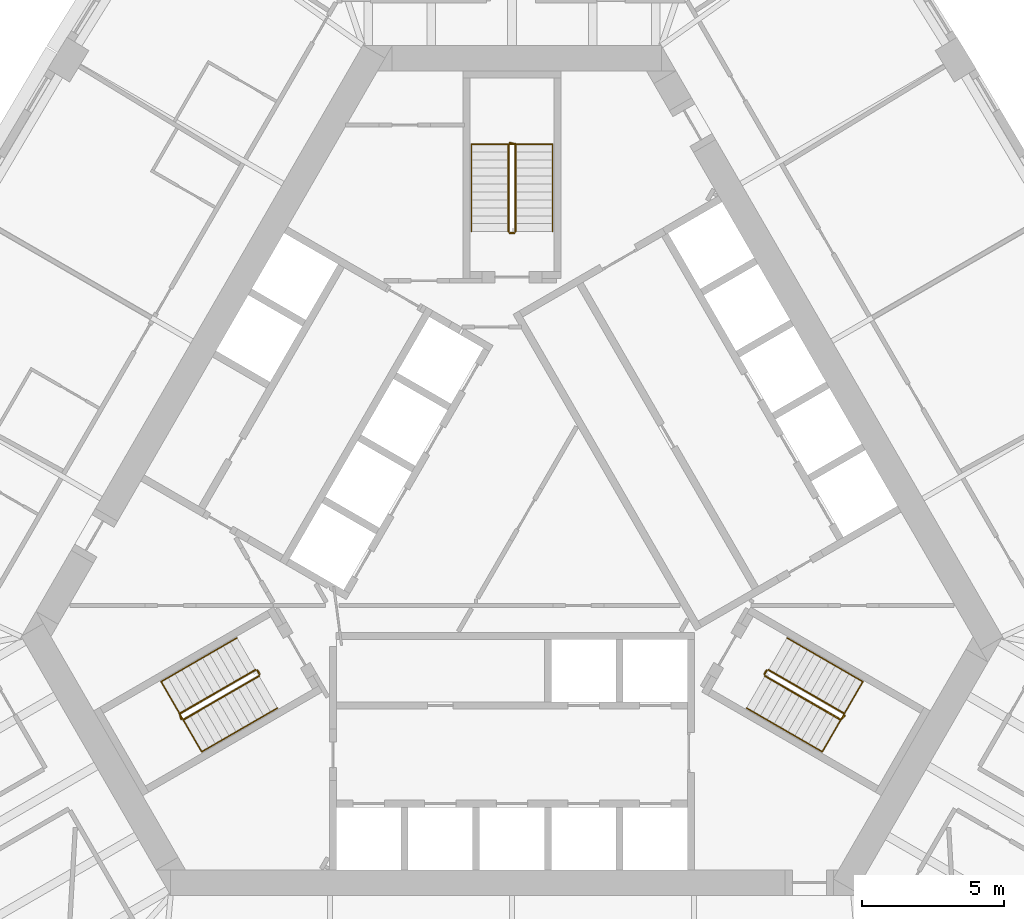
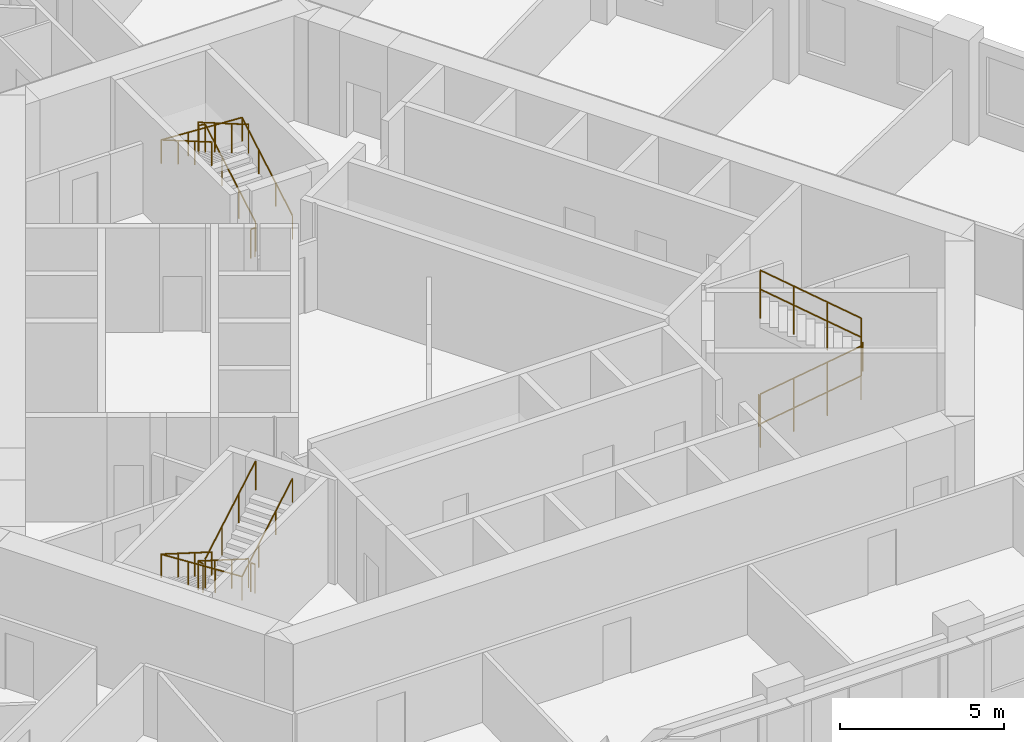
# One storey, part 12 of 12: 12 railings.
"""IFC4 building model written with IfcOpenShell, lengths in metres."""

from ifc_helpers import new_model, si_unit, direction, frame, origin, origin_2d, place, context, subcontext, project, spatial, circle, extrude, material, type_object, element, save


model = new_model("IFC4")

# Units and contexts
model_context = context("Model", 3, precision=1e-05, world=origin(), true_north=direction((0.0, 1.0)))
body_context = subcontext(model_context, "Body", "Model", "MODEL_VIEW")
ifc_project = project(units=[si_unit("LENGTHUNIT", "METRE"), si_unit("AREAUNIT", "SQUARE_METRE"), si_unit("VOLUMEUNIT", "CUBIC_METRE"), si_unit("PLANEANGLEUNIT", "RADIAN"), si_unit("MASSUNIT", "GRAM", prefix="KILO")], contexts=[model_context])

# Site, building, storey
site_placement = place(None, origin())
site = spatial("IfcSite", under=ifc_project, at=site_placement, CompositionType="ELEMENT")
building_placement = place(site_placement, origin())
building = spatial("IfcBuilding", under=site, at=building_placement, Name="Mestral Congress Tower", CompositionType="ELEMENT")
storey_placement = place(building_placement, frame((0.0, 0.0, 130.5)))
storey = spatial("IfcBuildingStorey", under=building, at=storey_placement, Name="L31", CompositionType="ELEMENT", Elevation=130.5)

# Railings
ifc_material_1 = material(Name="Steel balustrade", Category="steel")
railing_type_1 = type_object("IfcRailingType", Name="Stair guard 1100", PredefinedType="GUARDRAIL", material=ifc_material_1)
railing_1_placement = place(storey_placement, frame((8.90087890625, -5.283203125, 0.16259765625)))
element("IfcRailing", 1, at=railing_1_placement, inside=storey, type_object=railing_type_1, Name="L31 ST1 stair guard 1", PredefinedType="GUARDRAIL", context=body_context, shape_type="SweptSolid", body=[
    extrude(circle(Radius=0.02392578125, at=origin_2d()), frame((0.0, 0.0, 1.076171875), z_axis=(0.749019742845, -0.432477486304, 0.501928927906), x_axis=(0.500026652407, 0.866010015463, 0.0)), (0.0, 0.0, 1.0), 3.56103515625),
    extrude(circle(Radius=0.02392578125, at=origin_2d()), frame((2.667236328125, -1.5400390625, 2.86328125), z_axis=(0.695164929852, 0.718850276695, 0.0), x_axis=(-0.718850276695, 0.695164929852, 0.0)), (0.0, 0.0, 1.0), 0.2060546875),
    extrude(circle(Radius=0.02099609375, at=origin_2d()), origin(), (0.0, 0.0, 1.0), 1.052001953125),
    extrude(circle(Radius=0.02099609375, at=origin_2d()), frame((0.88916015625, -0.513427734375, 0.595703125)), (0.0, 0.0, 1.0), 1.052001953125),
    extrude(circle(Radius=0.02099609375, at=origin_2d()), frame((1.778076171875, -1.026611328125, 1.191650390625)), (0.0, 0.0, 1.0), 1.052001953125),
    extrude(circle(Radius=0.02099609375, at=origin_2d()), frame((2.667236328125, -1.5400390625, 1.787353515625)), (0.0, 0.0, 1.0), 1.052001953125),
    extrude(circle(Radius=0.02099609375, at=origin_2d()), frame((2.810546875, -1.391845703125, 1.787353515625)), (0.0, 0.0, 1.0), 1.052001953125),
])
railing_2_placement = place(storey_placement, frame((11.693115234375, -6.606689453125, 2.112548828125)))
element("IfcRailing", 2, at=railing_2_placement, inside=storey, type_object=railing_type_1, Name="L31 ST1 stair guard 2", PredefinedType="GUARDRAIL", context=body_context, shape_type="SweptSolid", body=[
    extrude(circle(Radius=0.02392578125, at=origin_2d()), frame((0.0, 0.0, 1.076171875), z_axis=(-0.749019742845, 0.432477486304, 0.501928927906), x_axis=(-0.500026652407, -0.866010015463, 0.0)), (0.0, 0.0, 1.0), 3.56103515625),
    extrude(circle(Radius=0.02099609375, at=origin_2d()), origin(), (0.0, 0.0, 1.0), 1.052001953125),
    extrude(circle(Radius=0.02099609375, at=origin_2d()), frame((-0.88916015625, 0.513427734375, 0.595703125)), (0.0, 0.0, 1.0), 1.052001953125),
    extrude(circle(Radius=0.02099609375, at=origin_2d()), frame((-1.778076171875, 1.026611328125, 1.191650390625)), (0.0, 0.0, 1.0), 1.052001953125),
    extrude(circle(Radius=0.02099609375, at=origin_2d()), frame((-2.667236328125, 1.5400390625, 1.787353515625)), (0.0, 0.0, 1.0), 1.052001953125),
])
railing_3_placement = place(storey_placement, frame((8.882568359375, -5.21484375, 0.0)))
element("IfcRailing", 3, at=railing_3_placement, inside=storey, type_object=railing_type_1, Name="L31 ST1 stair guard 3", PredefinedType="GUARDRAIL", context=body_context, shape_type="SweptSolid", body=[
    extrude(circle(Radius=0.02392578125, at=origin_2d()), frame((0.0, 0.0, 1.076171875), z_axis=(0.499816412211, 0.866131372301, 0.0), x_axis=(-0.866131372301, 0.499816412211, 0.0)), (0.0, 0.0, 1.0), 0.14990234375),
    extrude(circle(Radius=0.02099609375, at=origin_2d()), origin(), (0.0, 0.0, 1.0), 1.052001953125),
    extrude(circle(Radius=0.02099609375, at=origin_2d()), frame((0.074951171875, 0.1298828125, 0.0)), (0.0, 0.0, 1.0), 1.052001953125),
])
railing_4_placement = place(storey_placement, frame((0.125, 10.35009765625, 0.16259765625)))
element("IfcRailing", 4, at=railing_4_placement, inside=storey, type_object=railing_type_1, Name="L31 ST2 stair guard 1", PredefinedType="GUARDRAIL", context=body_context, shape_type="SweptSolid", body=[
    extrude(circle(Radius=0.02392578125, at=origin_2d()), frame((0.0, 0.0, 1.076171875), z_axis=(0.0, 0.864903211148, 0.501938676878), x_axis=(-1.0, 0.0, 0.0)), (0.0, 0.0, 1.0), 3.560791015625),
    extrude(circle(Radius=0.02392578125, at=origin_2d()), frame((0.0, 3.079833984375, 2.86328125), z_axis=(-0.970072785993, 0.242814311512, 0.0), x_axis=(-0.242814311512, -0.970072785993, 0.0)), (0.0, 0.0, 1.0), 0.2060546875),
    extrude(circle(Radius=0.02099609375, at=origin_2d()), origin(), (0.0, 0.0, 1.0), 1.052001953125),
    extrude(circle(Radius=0.02099609375, at=origin_2d()), frame((0.0, 1.026611328125, 0.595703125)), (0.0, 0.0, 1.0), 1.052001953125),
    extrude(circle(Radius=0.02099609375, at=origin_2d()), frame((0.0, 2.05322265625, 1.191650390625)), (0.0, 0.0, 1.0), 1.052001953125),
    extrude(circle(Radius=0.02099609375, at=origin_2d()), frame((0.0, 3.079833984375, 1.787353515625)), (0.0, 0.0, 1.0), 1.052001953125),
    extrude(circle(Radius=0.02099609375, at=origin_2d()), frame((-0.199951171875, 3.1298828125, 1.787353515625)), (0.0, 0.0, 1.0), 1.052001953125),
])
railing_5_placement = place(storey_placement, frame((-0.125, 13.429931640625, 2.112548828125)))
element("IfcRailing", 5, at=railing_5_placement, inside=storey, type_object=railing_type_1, Name="L31 ST2 stair guard 2", PredefinedType="GUARDRAIL", context=body_context, shape_type="SweptSolid", body=[
    extrude(circle(Radius=0.02392578125, at=origin_2d()), frame((0.0, 0.0, 1.076171875), z_axis=(0.0, -0.864903211148, 0.501938676878), x_axis=(1.0, 0.0, 0.0)), (0.0, 0.0, 1.0), 3.560791015625),
    extrude(circle(Radius=0.02099609375, at=origin_2d()), origin(), (0.0, 0.0, 1.0), 1.052001953125),
    extrude(circle(Radius=0.02099609375, at=origin_2d()), frame((0.0, -1.026611328125, 0.595703125)), (0.0, 0.0, 1.0), 1.052001953125),
    extrude(circle(Radius=0.02099609375, at=origin_2d()), frame((0.0, -2.05322265625, 1.191650390625)), (0.0, 0.0, 1.0), 1.052001953125),
    extrude(circle(Radius=0.02099609375, at=origin_2d()), frame((0.0, -3.079833984375, 1.787353515625)), (0.0, 0.0, 1.0), 1.052001953125),
])
railing_6_placement = place(storey_placement, frame((0.074951171875, 10.300048828125, 0.0)))
element("IfcRailing", 6, at=railing_6_placement, inside=storey, type_object=railing_type_1, Name="L31 ST2 stair guard 3", PredefinedType="GUARDRAIL", context=body_context, shape_type="SweptSolid", body=[
    extrude(circle(Radius=0.02392578125, at=origin_2d()), frame((0.0, 0.0, 1.076171875), z_axis=(-1.0, 0.0, 0.0), x_axis=(0.0, -1.0, 0.0)), (0.0, 0.0, 1.0), 0.14990234375),
    extrude(circle(Radius=0.02099609375, at=origin_2d()), origin(), (0.0, 0.0, 1.0), 1.052001953125),
    extrude(circle(Radius=0.02099609375, at=origin_2d()), frame((-0.14990234375, 0.0, 0.0)), (0.0, 0.0, 1.0), 1.052001953125),
])
railing_7_placement = place(storey_placement, frame((-9.02587890625, -5.066650390625, 0.16259765625)))
element("IfcRailing", 7, at=railing_7_placement, inside=storey, type_object=railing_type_1, Name="L31 ST3 stair guard 1", PredefinedType="GUARDRAIL", context=body_context, shape_type="SweptSolid", body=[
    extrude(circle(Radius=0.02392578125, at=origin_2d()), frame((0.0, 0.0, 1.076171875), z_axis=(-0.749019742845, -0.432477486304, 0.501928927906), x_axis=(0.500026652407, -0.866010015463, 0.0)), (0.0, 0.0, 1.0), 3.56103515625),
    extrude(circle(Radius=0.02392578125, at=origin_2d()), frame((-2.667236328125, -1.5400390625, 2.86328125), z_axis=(0.274721127897, -0.961523947641, 0.0), x_axis=(0.961523947641, 0.274721127897, 0.0)), (0.0, 0.0, 1.0), 0.2060546875),
    extrude(circle(Radius=0.02099609375, at=origin_2d()), origin(), (0.0, 0.0, 1.0), 1.052001953125),
    extrude(circle(Radius=0.02099609375, at=origin_2d()), frame((-0.88916015625, -0.513427734375, 0.595703125)), (0.0, 0.0, 1.0), 1.052001953125),
    extrude(circle(Radius=0.02099609375, at=origin_2d()), frame((-1.778076171875, -1.026611328125, 1.191650390625)), (0.0, 0.0, 1.0), 1.052001953125),
    extrude(circle(Radius=0.02099609375, at=origin_2d()), frame((-2.667236328125, -1.5400390625, 1.787353515625)), (0.0, 0.0, 1.0), 1.052001953125),
    extrude(circle(Radius=0.02099609375, at=origin_2d()), frame((-2.610595703125, -1.73828125, 1.787353515625)), (0.0, 0.0, 1.0), 1.052001953125),
])
railing_8_placement = place(storey_placement, frame((-11.568115234375, -6.8232421875, 2.112548828125)))
element("IfcRailing", 8, at=railing_8_placement, inside=storey, type_object=railing_type_1, Name="L31 ST3 stair guard 2", PredefinedType="GUARDRAIL", context=body_context, shape_type="SweptSolid", body=[
    extrude(circle(Radius=0.02392578125, at=origin_2d()), frame((0.0, 0.0, 1.076171875), z_axis=(0.749019742845, 0.432477486304, 0.501928927906), x_axis=(-0.500026652407, 0.866010015463, 0.0)), (0.0, 0.0, 1.0), 3.56103515625),
    extrude(circle(Radius=0.02099609375, at=origin_2d()), origin(), (0.0, 0.0, 1.0), 1.052001953125),
    extrude(circle(Radius=0.02099609375, at=origin_2d()), frame((0.88916015625, 0.513427734375, 0.595703125)), (0.0, 0.0, 1.0), 1.052001953125),
    extrude(circle(Radius=0.02099609375, at=origin_2d()), frame((1.778076171875, 1.026611328125, 1.191650390625)), (0.0, 0.0, 1.0), 1.052001953125),
    extrude(circle(Radius=0.02099609375, at=origin_2d()), frame((2.667236328125, 1.5400390625, 1.787353515625)), (0.0, 0.0, 1.0), 1.052001953125),
])
railing_9_placement = place(storey_placement, frame((-8.95751953125, -5.0849609375, 0.0)))
element("IfcRailing", 9, at=railing_9_placement, inside=storey, type_object=railing_type_1, Name="L31 ST3 stair guard 3", PredefinedType="GUARDRAIL", context=body_context, shape_type="SweptSolid", body=[
    extrude(circle(Radius=0.02392578125, at=origin_2d()), frame((0.0, 0.0, 1.076171875), z_axis=(0.499816412211, -0.866131372301, 0.0), x_axis=(0.866131372301, 0.499816412211, 0.0)), (0.0, 0.0, 1.0), 0.14990234375),
    extrude(circle(Radius=0.02099609375, at=origin_2d()), origin(), (0.0, 0.0, 1.0), 1.052001953125),
    extrude(circle(Radius=0.02099609375, at=origin_2d()), frame((0.074951171875, -0.1298828125, 0.0)), (0.0, 0.0, 1.0), 1.052001953125),
])
ifc_material_2 = material(Name="Steel handrail", Category="steel")
railing_type_2 = type_object("IfcRailingType", Name="Stair handrail 900", PredefinedType="HANDRAIL", material=ifc_material_2)
railing_10_placement = place(storey_placement, frame((8.2509765625, -6.4091796875, 0.16259765625)))
element("IfcRailing", 10, at=railing_10_placement, inside=storey, type_object=railing_type_2, Name="L31 ST1 stair handrail 1", PredefinedType="HANDRAIL", context=body_context, shape_type="SweptSolid", body=[
    extrude(circle(Radius=0.02392578125, at=origin_2d()), frame((0.0, 0.0, 0.8759765625), z_axis=(0.749041951051, -0.432421746936, 0.501943809945), x_axis=(0.499967199496, 0.866044340336, 0.0)), (0.0, 0.0, 1.0), 3.560791015625),
    extrude(circle(Radius=0.02392578125, at=origin_2d()), frame((2.667236328125, -1.539794921875, 2.6630859375), z_axis=(0.499224505807, 0.864598343191, 0.056961370716), x_axis=(-0.866004402611, 0.500036373335, 0.0)), (0.0, 0.0, 1.0), 2.8544921875),
    extrude(circle(Radius=0.02392578125, at=origin_2d()), frame((4.09228515625, 0.92822265625, 2.82568359375), z_axis=(-0.749049836341, 0.432455278019, 0.501903153199), x_axis=(-0.499992328818, -0.866029832698, 0.0)), (0.0, 0.0, 1.0), 3.56103515625),
    extrude(circle(Radius=0.02099609375, at=origin_2d()), origin(), (0.0, 0.0, 1.0), 0.851806640625),
    extrude(circle(Radius=0.02099609375, at=origin_2d()), frame((0.88916015625, -0.51318359375, 0.595703125)), (0.0, 0.0, 1.0), 0.851806640625),
    extrude(circle(Radius=0.02099609375, at=origin_2d()), frame((1.778076171875, -1.026611328125, 1.191650390625)), (0.0, 0.0, 1.0), 0.851806640625),
    extrude(circle(Radius=0.02099609375, at=origin_2d()), frame((2.667236328125, -1.539794921875, 1.787353515625)), (0.0, 0.0, 1.0), 0.851806640625),
    extrude(circle(Radius=0.02099609375, at=origin_2d()), frame((3.142333984375, -0.717041015625, 1.841552734375)), (0.0, 0.0, 1.0), 0.851806640625),
    extrude(circle(Radius=0.02099609375, at=origin_2d()), frame((3.6171875, 0.10546875, 1.895751953125)), (0.0, 0.0, 1.0), 0.851806640625),
    extrude(circle(Radius=0.02099609375, at=origin_2d()), frame((4.09228515625, 0.92822265625, 1.949951171875)), (0.0, 0.0, 1.0), 0.851806640625),
    extrude(circle(Radius=0.02099609375, at=origin_2d()), frame((3.203125, 1.441650390625, 2.545654296875)), (0.0, 0.0, 1.0), 0.851806640625),
    extrude(circle(Radius=0.02099609375, at=origin_2d()), frame((2.31396484375, 1.954833984375, 3.1416015625)), (0.0, 0.0, 1.0), 0.851806640625),
    extrude(circle(Radius=0.02099609375, at=origin_2d()), frame((1.4248046875, 2.46826171875, 3.7373046875)), (0.0, 0.0, 1.0), 0.851806640625),
])
railing_11_placement = place(storey_placement, frame((1.425048828125, 10.35009765625, 0.16259765625)))
element("IfcRailing", 11, at=railing_11_placement, inside=storey, type_object=railing_type_2, Name="L31 ST2 stair handrail 1", PredefinedType="HANDRAIL", context=body_context, shape_type="SweptSolid", body=[
    extrude(circle(Radius=0.02392578125, at=origin_2d()), frame((0.0, 0.0, 0.8759765625), z_axis=(0.0, 0.864903211148, 0.501938676878), x_axis=(-1.0, 0.0, 0.0)), (0.0, 0.0, 1.0), 3.560791015625),
    extrude(circle(Radius=0.02392578125, at=origin_2d()), frame((0.0, 3.079833984375, 2.6630859375), z_axis=(-0.998376618682, 0.0, 0.056957240709), x_axis=(0.0, -1.0, 0.0)), (0.0, 0.0, 1.0), 2.854736328125),
    extrude(circle(Radius=0.02392578125, at=origin_2d()), frame((-2.85009765625, 3.079833984375, 2.82568359375), z_axis=(0.0, -0.864903211148, 0.501938676878), x_axis=(1.0, 0.0, 0.0)), (0.0, 0.0, 1.0), 3.560791015625),
    extrude(circle(Radius=0.02099609375, at=origin_2d()), origin(), (0.0, 0.0, 1.0), 0.851806640625),
    extrude(circle(Radius=0.02099609375, at=origin_2d()), frame((0.0, 1.026611328125, 0.595703125)), (0.0, 0.0, 1.0), 0.851806640625),
    extrude(circle(Radius=0.02099609375, at=origin_2d()), frame((0.0, 2.05322265625, 1.191650390625)), (0.0, 0.0, 1.0), 0.851806640625),
    extrude(circle(Radius=0.02099609375, at=origin_2d()), frame((0.0, 3.079833984375, 1.787353515625)), (0.0, 0.0, 1.0), 0.851806640625),
    extrude(circle(Radius=0.02099609375, at=origin_2d()), frame((-0.949951171875, 3.079833984375, 1.841552734375)), (0.0, 0.0, 1.0), 0.851806640625),
    extrude(circle(Radius=0.02099609375, at=origin_2d()), frame((-1.900146484375, 3.079833984375, 1.895751953125)), (0.0, 0.0, 1.0), 0.851806640625),
    extrude(circle(Radius=0.02099609375, at=origin_2d()), frame((-2.85009765625, 3.079833984375, 1.949951171875)), (0.0, 0.0, 1.0), 0.851806640625),
    extrude(circle(Radius=0.02099609375, at=origin_2d()), frame((-2.85009765625, 2.05322265625, 2.545654296875)), (0.0, 0.0, 1.0), 0.851806640625),
    extrude(circle(Radius=0.02099609375, at=origin_2d()), frame((-2.85009765625, 1.026611328125, 3.1416015625)), (0.0, 0.0, 1.0), 0.851806640625),
    extrude(circle(Radius=0.02099609375, at=origin_2d()), frame((-2.85009765625, 0.0, 3.7373046875)), (0.0, 0.0, 1.0), 0.851806640625),
])
railing_12_placement = place(storey_placement, frame((-9.67578125, -3.94091796875, 0.16259765625)))
element("IfcRailing", 12, at=railing_12_placement, inside=storey, type_object=railing_type_2, Name="L31 ST3 stair handrail 1", PredefinedType="HANDRAIL", context=body_context, shape_type="SweptSolid", body=[
    extrude(circle(Radius=0.02392578125, at=origin_2d()), frame((0.0, 0.0, 0.8759765625), z_axis=(-0.749049836341, -0.432455278019, 0.501903153199), x_axis=(0.499992328818, -0.866029832698, 0.0)), (0.0, 0.0, 1.0), 3.56103515625),
    extrude(circle(Radius=0.02392578125, at=origin_2d()), frame((-2.66748046875, -1.5400390625, 2.6630859375), z_axis=(0.499224505807, -0.864598343191, 0.056961370716), x_axis=(0.866004402611, 0.500036373335, 0.0)), (0.0, 0.0, 1.0), 2.8544921875),
    extrude(circle(Radius=0.02392578125, at=origin_2d()), frame((-1.242431640625, -4.008056640625, 2.82568359375), z_axis=(0.749041951051, 0.432421746936, 0.501943809945), x_axis=(-0.499967199496, 0.866044340336, 0.0)), (0.0, 0.0, 1.0), 3.560791015625),
    extrude(circle(Radius=0.02099609375, at=origin_2d()), origin(), (0.0, 0.0, 1.0), 0.851806640625),
    extrude(circle(Radius=0.02099609375, at=origin_2d()), frame((-0.88916015625, -0.513427734375, 0.595703125)), (0.0, 0.0, 1.0), 0.851806640625),
    extrude(circle(Radius=0.02099609375, at=origin_2d()), frame((-1.7783203125, -1.026611328125, 1.191650390625)), (0.0, 0.0, 1.0), 0.851806640625),
    extrude(circle(Radius=0.02099609375, at=origin_2d()), frame((-2.66748046875, -1.5400390625, 1.787353515625)), (0.0, 0.0, 1.0), 0.851806640625),
    extrude(circle(Radius=0.02099609375, at=origin_2d()), frame((-2.1923828125, -2.36279296875, 1.841552734375)), (0.0, 0.0, 1.0), 0.851806640625),
    extrude(circle(Radius=0.02099609375, at=origin_2d()), frame((-1.717529296875, -3.185302734375, 1.895751953125)), (0.0, 0.0, 1.0), 0.851806640625),
    extrude(circle(Radius=0.02099609375, at=origin_2d()), frame((-1.242431640625, -4.008056640625, 1.949951171875)), (0.0, 0.0, 1.0), 0.851806640625),
    extrude(circle(Radius=0.02099609375, at=origin_2d()), frame((-0.353271484375, -3.494873046875, 2.545654296875)), (0.0, 0.0, 1.0), 0.851806640625),
    extrude(circle(Radius=0.02099609375, at=origin_2d()), frame((0.53564453125, -2.9814453125, 3.1416015625)), (0.0, 0.0, 1.0), 0.851806640625),
    extrude(circle(Radius=0.02099609375, at=origin_2d()), frame((1.4248046875, -2.46826171875, 3.7373046875)), (0.0, 0.0, 1.0), 0.851806640625),
])

save(model, "model.ifc")
